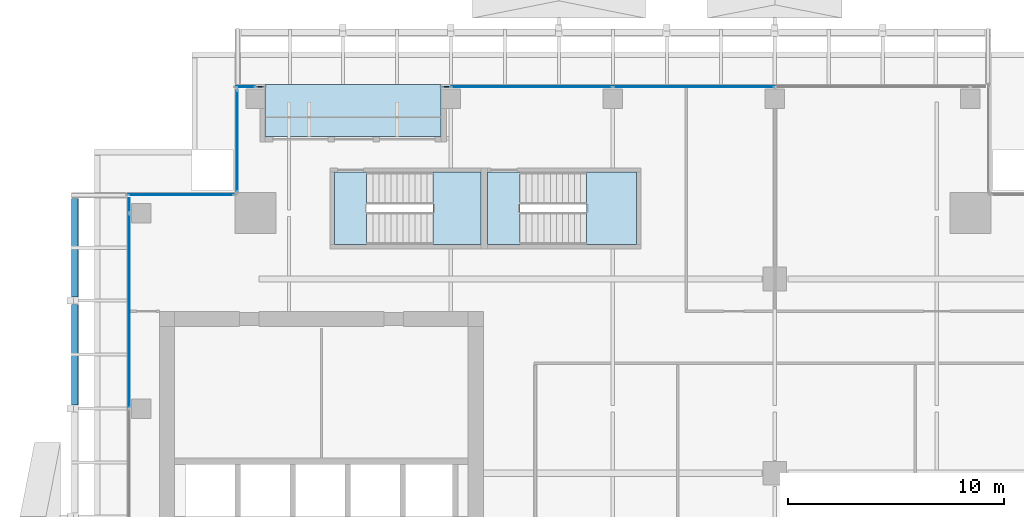
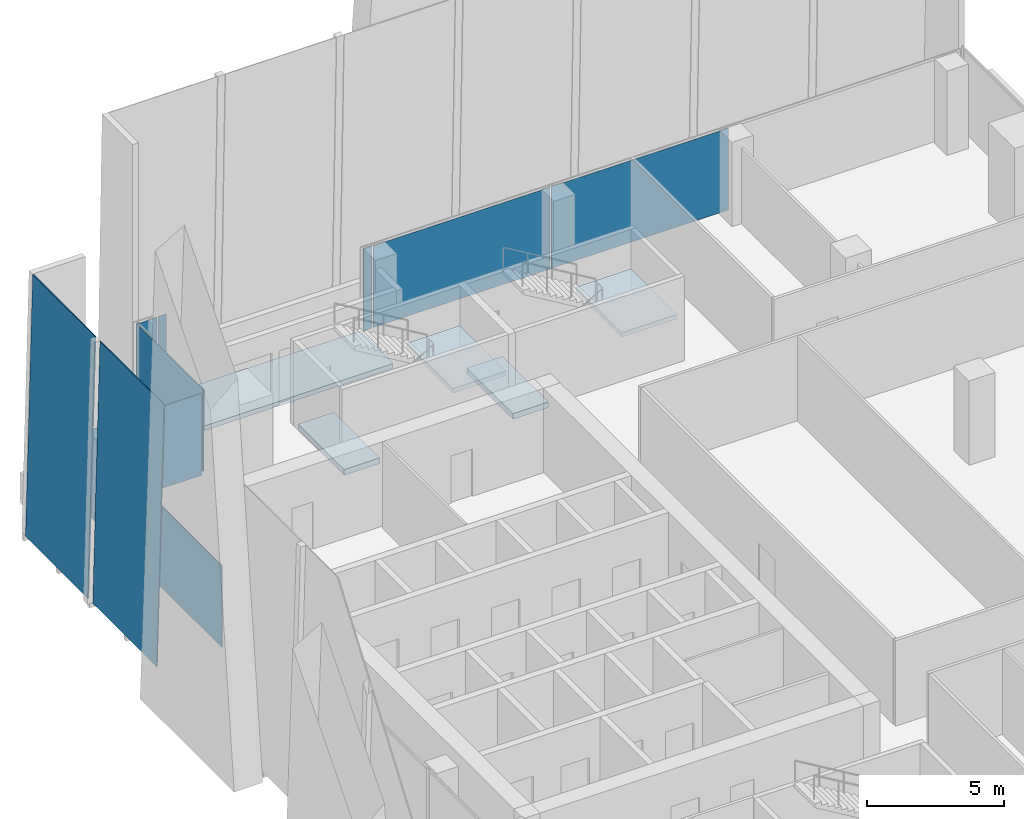
# One storey, part 24 of 33: 11 plates, 5 slabs, 7 elements without a shape of their own.
"""IFC4 building model written with IfcOpenShell, lengths in metres."""

from ifc_helpers import new_model, si_unit, direction, frame, origin, origin_2d, place, context, subcontext, project, spatial, polyline, rectangle, outline, extrude, source, transform, mapped, material, layer, layer_set, type_object, element, aggregate, save


model = new_model("IFC4")

# Units and contexts
model_context = context("Model", 3, precision=1e-05, world=origin(), true_north=direction((0.0, 1.0)))
body_context = subcontext(model_context, "Body", "Model", "MODEL_VIEW")
ifc_project = project(units=[si_unit("LENGTHUNIT", "METRE"), si_unit("AREAUNIT", "SQUARE_METRE"), si_unit("VOLUMEUNIT", "CUBIC_METRE"), si_unit("PLANEANGLEUNIT", "RADIAN"), si_unit("MASSUNIT", "GRAM", prefix="KILO")], contexts=[model_context])

# Site, building, storey
site_placement = place(None, origin())
site = spatial("IfcSite", under=ifc_project, at=site_placement, CompositionType="ELEMENT")
building_placement = place(site_placement, origin())
building = spatial("IfcBuilding", under=site, at=building_placement, Name="Khomas Fold Tower", CompositionType="ELEMENT")
storey_placement = place(building_placement, frame((0.0, 0.0, 222.199951171875)))
storey = spatial("IfcBuildingStorey", under=building, at=storey_placement, Name="L49", CompositionType="ELEMENT", Elevation=222.199951171875)

# Plates
ifc_material_1 = material(Name="Clear laminated glass", Category="glass")
ifc_layer_1 = layer(ifc_material_1, 0.0400390625)
ifc_layer_set_1 = layer_set([ifc_layer_1], Name="Clear laminated glass")
plate_type_1 = type_object("IfcPlateType", Name="SK-Clear laminated glass leaf", PredefinedType="SHEET", material=ifc_layer_set_1)
plate_1_placement = place(storey_placement, frame((1.920654296875, 34.669921875, 0.0009765625), z_axis=(-0.999657230839, 0.0, 0.026180543005), x_axis=(0.0, 1.0, 0.0)))
element("IfcPlate", 1, at=plate_1_placement, inside=storey, type_object=plate_type_1, Name="OUTER SKIN glass L49 W11", PredefinedType="SHEET", context=body_context, shape_type="SweptSolid", body=[
    extrude(outline(polyline([(0.0, 0.0), (4.66015625, 0.0), (4.66015625, -11.554009186164079), (0.0, -11.554009186164079), (0.0, 0.0)])), origin(), (0.0, 0.0, -1.0), 0.0400390625),
])
plate_2_placement = place(storey_placement, frame((1.920654296875, 39.669921875, 0.0009765625), z_axis=(-0.999657230839, 0.0, 0.026180543005), x_axis=(0.0, 1.0, 0.0)))
element("IfcPlate", 2, at=plate_2_placement, inside=storey, type_object=plate_type_1, Name="OUTER SKIN glass L49 W13", PredefinedType="SHEET", context=body_context, shape_type="SweptSolid", body=[
    extrude(outline(polyline([(0.0, 0.0), (4.56005859375, 0.0), (4.56005859375, -11.554009186164079), (0.0, -11.554009186164079), (0.0, 0.0)])), origin(), (0.0, 0.0, -1.0), 0.0400390625),
])

# Curtain wall, plate
ifc_material_2 = material(Name="Aluminium framed double glazing", Category="aluminium")
curtain_wall_type = type_object("IfcCurtainWallType", Name="SK-Unitised clear-glass wall, office floors CW2", PredefinedType="NOTDEFINED", material=ifc_material_2)
curtain_wall_1_placement = place(storey_placement, origin())
curtain_wall_1 = element("IfcCurtainWall", 3, at=curtain_wall_1_placement, inside=storey, type_object=curtain_wall_type, Name="CW2 run L49 09-0", PredefinedType="NOTDEFINED")
ifc_material_3 = material(Name="Clear double glazed unit")
ifc_layer_2 = layer(ifc_material_3, 0.030029296875)
ifc_layer_set_2 = layer_set([ifc_layer_2], Name="Clear double glazed unit")
plate_type_2 = type_object("IfcPlateType", Name="SK-Unitised clear-glass wall, office floors glass panel CW2-P", PredefinedType="CURTAIN_PANEL", material=ifc_layer_set_2)
shared_shape_1 = source(origin(), body_context, "Body", "SweptSolid", [
    extrude(rectangle(XDim=0.659912109375, YDim=0.030029296875, at=origin_2d()), origin(), (0.0, 0.0, 1.0), 3.639892578125),
])
plate_3_placement = place(storey_placement, frame((4.60009765625, 43.909912109375, 0.0), z_axis=(0.0, 0.0, 1.0), x_axis=(0.0, -1.0, 0.0)))
plate_3 = element("IfcPlate", 4, at=plate_3_placement, type_object=plate_type_2, Name="CW2 glass panel 1", PredefinedType="CURTAIN_PANEL", context=body_context, shape_type="MappedRepresentation", body=[
    mapped(shared_shape_1, transform((0.0, 0.0, 0.0))),
])

# Curtain wall, plates
curtain_wall_2_placement = place(storey_placement, origin())
curtain_wall_2 = element("IfcCurtainWall", 5, at=curtain_wall_2_placement, inside=storey, type_object=curtain_wall_type, Name="CW2 run L49 06-0", PredefinedType="NOTDEFINED")
shared_shape_2 = source(origin(), body_context, "Body", "SweptSolid", [
    extrude(rectangle(XDim=7.43994140625, YDim=0.030029296875, at=origin_2d()), origin(), (0.0, 0.0, 1.0), 3.639892578125),
])
plate_4_placement = place(storey_placement, frame((30.75, 49.39990234375, 0.0), z_axis=(0.0, 0.0, 1.0), x_axis=(-1.0, 0.0, 0.0)))
plate_4 = element("IfcPlate", 6, at=plate_4_placement, type_object=plate_type_2, Name="CW2 glass panel 3", PredefinedType="CURTAIN_PANEL", context=body_context, shape_type="MappedRepresentation", body=[
    mapped(shared_shape_2, transform((0.0, 0.0, 0.0))),
])
plate_5_placement = place(storey_placement, frame((23.25, 49.39990234375, 0.0), z_axis=(0.0, 0.0, 1.0), x_axis=(-1.0, 0.0, 0.0)))
plate_5 = element("IfcPlate", 7, at=plate_5_placement, type_object=plate_type_2, Name="CW2 glass panel 4", PredefinedType="CURTAIN_PANEL", context=body_context, shape_type="MappedRepresentation", body=[
    mapped(shared_shape_2, transform((0.0, 0.0, 0.0))),
])

# Curtain wall, plate
curtain_wall_3_placement = place(storey_placement, origin())
curtain_wall_3 = element("IfcCurtainWall", 8, at=curtain_wall_3_placement, inside=storey, type_object=curtain_wall_type, Name="CW2 run L49 06-1", PredefinedType="NOTDEFINED")
shared_shape_3 = source(origin(), body_context, "Body", "SweptSolid", [
    extrude(rectangle(XDim=0.860107421875, YDim=0.030029296875, at=origin_2d()), origin(), (0.0, 0.0, 1.0), 3.639892578125),
])
plate_6_placement = place(storey_placement, frame((9.989990234375, 49.39990234375, 0.0), z_axis=(0.0, 0.0, 1.0), x_axis=(-1.0, 0.0, 0.0)))
plate_6 = element("IfcPlate", 9, at=plate_6_placement, type_object=plate_type_2, Name="CW2 glass panel 2", PredefinedType="CURTAIN_PANEL", context=body_context, shape_type="MappedRepresentation", body=[
    mapped(shared_shape_3, transform((0.0, 0.0, 0.0))),
])

# Plate
shared_shape_4 = source(origin(), body_context, "Body", "SweptSolid", [
    extrude(rectangle(XDim=8.989990234375, YDim=0.030029296875, at=origin_2d()), origin(), (0.0, 0.0, 1.0), 3.639892578125),
])
plate_7_placement = place(storey_placement, frame((4.60009765625, 39.02490234375, 0.0), z_axis=(0.0, 0.0, 1.0), x_axis=(0.0, -1.0, 0.0)))
plate_7 = element("IfcPlate", 10, at=plate_7_placement, type_object=plate_type_2, Name="CW2 glass panel 2", PredefinedType="CURTAIN_PANEL", context=body_context, shape_type="MappedRepresentation", body=[
    mapped(shared_shape_4, transform((0.0, 0.0, 0.0))),
])

aggregate(curtain_wall_1, [plate_3, plate_7])

# Curtain wall, plate
curtain_wall_4_placement = place(storey_placement, origin())
curtain_wall_4 = element("IfcCurtainWall", 11, at=curtain_wall_4_placement, inside=storey, type_object=curtain_wall_type, Name="CW2 corner return L49 07", PredefinedType="NOTDEFINED")
shared_shape_5 = source(origin(), body_context, "Body", "SweptSolid", [
    extrude(rectangle(XDim=4.679931640625, YDim=0.030029296875, at=origin_2d()), origin(), (0.0, 0.0, 1.0), 3.639892578125),
])
plate_8_placement = place(storey_placement, frame((9.60009765625, 46.89990234375, 0.0), z_axis=(0.0, 0.0, 1.0), x_axis=(0.0, -1.0, 0.0)))
plate_8 = element("IfcPlate", 12, at=plate_8_placement, type_object=plate_type_2, Name="CW2 glass panel 1", PredefinedType="CURTAIN_PANEL", context=body_context, shape_type="MappedRepresentation", body=[
    mapped(shared_shape_5, transform((0.0, 0.0, 0.0))),
])
aggregate(curtain_wall_4, [plate_8])

curtain_wall_5_placement = place(storey_placement, origin())
curtain_wall_5 = element("IfcCurtainWall", 13, at=curtain_wall_5_placement, inside=storey, type_object=curtain_wall_type, Name="CW2 corner return L49 08", PredefinedType="NOTDEFINED")
shared_shape_6 = source(origin(), body_context, "Body", "SweptSolid", [
    extrude(rectangle(XDim=4.8798828125, YDim=0.030029296875, at=origin_2d()), origin(), (0.0, 0.0, 1.0), 3.639892578125),
])
plate_9_placement = place(storey_placement, frame((7.0, 44.39990234375, 0.0), z_axis=(0.0, 0.0, 1.0), x_axis=(-1.0, 0.0, 0.0)))
plate_9 = element("IfcPlate", 14, at=plate_9_placement, type_object=plate_type_2, Name="CW2 glass panel 1", PredefinedType="CURTAIN_PANEL", context=body_context, shape_type="MappedRepresentation", body=[
    mapped(shared_shape_6, transform((0.0, 0.0, 0.0))),
])
aggregate(curtain_wall_5, [plate_9])

# Plate
shared_shape_7 = source(origin(), body_context, "Body", "SweptSolid", [
    extrude(rectangle(XDim=0.360107421875, YDim=0.030029296875, at=origin_2d()), origin(), (0.0, 0.0, 1.0), 3.639892578125),
])
plate_10_placement = place(storey_placement, frame((19.2900390625, 49.39990234375, 0.0), z_axis=(0.0, 0.0, 1.0), x_axis=(-1.0, 0.0, 0.0)))
plate_10 = element("IfcPlate", 15, at=plate_10_placement, type_object=plate_type_2, Name="CW2 glass panel 5", PredefinedType="CURTAIN_PANEL", context=body_context, shape_type="MappedRepresentation", body=[
    mapped(shared_shape_7, transform((0.0, 0.0, 0.0))),
])

aggregate(curtain_wall_2, [plate_4, plate_5, plate_10])

plate_11_placement = place(storey_placement, frame((10.659912109375, 49.39990234375, 0.0), z_axis=(0.0, 0.0, 1.0), x_axis=(-1.0, 0.0, 0.0)))
plate_11 = element("IfcPlate", 16, at=plate_11_placement, type_object=plate_type_2, Name="CW2 glass panel 1", PredefinedType="CURTAIN_PANEL", context=body_context, shape_type="MappedRepresentation", body=[
    mapped(shared_shape_7, transform((0.0, 0.0, 0.0))),
])

aggregate(curtain_wall_3, [plate_11, plate_6])

# Slab
ifc_material_4 = material(Name="Concrete C40/50", Category="concrete")
ifc_layer_3 = layer(ifc_material_4, 0.205078125)
ifc_layer_set_3 = layer_set([ifc_layer_3], Name="Concrete C40/50")
slab_type_1 = type_object("IfcSlabType", Name="BL-Balcony deck 205", PredefinedType="FLOOR", material=ifc_layer_set_3)
shared_shape_8 = source(origin(), body_context, "Body", "SweptSolid", [
    extrude(outline(polyline([(10.89990234375, 47.10009765625), (19.050048828125, 47.10009765625), (19.050048828125, 49.5), (10.89990234375, 49.5), (10.89990234375, 47.10009765625)])), origin(), (0.0, 0.0, 1.0), 0.205078125),
])
slab_1_placement = place(storey_placement, frame((0.0, 0.0, -0.25)))
element("IfcSlab", 17, at=slab_1_placement, inside=storey, type_object=slab_type_1, Name="Balcony deck BAL-L49-N1", PredefinedType="FLOOR", context=body_context, shape_type="MappedRepresentation", body=[
    mapped(shared_shape_8, transform((0.0, 0.0, 0.0))),
])

# Stair, slab
ifc_material_5 = material(Name="Concrete C40/50", Category="concrete")
stair_type_1 = type_object("IfcStairType", Name="Stair ST1", PredefinedType="HALF_TURN_STAIR", material=ifc_material_5)
stair_1_placement = place(storey_placement, origin())
stair_1 = element("IfcStair", 18, at=stair_1_placement, inside=storey, type_object=stair_type_1, Name="L49 ST1", PredefinedType="HALF_TURN_STAIR")
ifc_material_6 = material(Name="Concrete C40/50", Category="concrete")
ifc_layer_4 = layer(ifc_material_6, 0.199951171875)
ifc_layer_set_4 = layer_set([ifc_layer_4], Name="Concrete C40/50")
slab_type_2 = type_object("IfcSlabType", Name="Stair landing 200", PredefinedType="LANDING", material=ifc_layer_set_4)
shared_shape_9 = source(origin(), body_context, "Body", "SweptSolid", [
    extrude(outline(polyline([(18.679931640625, 42.10009765625), (20.89990234375, 42.10009765625), (20.89990234375, 45.449951171875), (18.679931640625, 45.449951171875), (18.679931640625, 42.10009765625)])), origin(), (0.0, 0.0, 1.0), 0.199951171875),
])
slab_2_placement = place(storey_placement, frame((0.0, 0.0, 1.800048828125)))
slab_2 = element("IfcSlab", 19, at=slab_2_placement, type_object=slab_type_2, Name="ST1 landing 1", PredefinedType="LANDING", context=body_context, shape_type="MappedRepresentation", body=[
    mapped(shared_shape_9, transform((0.0, 0.0, 0.0))),
])
aggregate(stair_1, [slab_2])

# Slab
ifc_material_7 = material(Name="Concrete C40/50", Category="concrete")
ifc_layer_5 = layer(ifc_material_7, 0.25)
ifc_layer_set_5 = layer_set([ifc_layer_5], Name="Concrete C40/50")
slab_type_3 = type_object("IfcSlabType", Name="Stair floor landing 250", PredefinedType="LANDING", material=ifc_layer_set_5)
shared_shape_10 = source(origin(), body_context, "Body", "SweptSolid", [
    extrude(outline(polyline([(14.10009765625, 42.10009765625), (14.10009765625, 45.449951171875), (15.60009765625, 45.449951171875), (15.60009765625, 42.10009765625), (14.10009765625, 42.10009765625)])), origin(), (0.0, 0.0, 1.0), 0.25),
])
slab_3_placement = place(storey_placement, frame((0.0, 0.0, -0.25)))
element("IfcSlab", 20, at=slab_3_placement, inside=storey, type_object=slab_type_3, Name="ST1 floor landing", PredefinedType="LANDING", context=body_context, shape_type="MappedRepresentation", body=[
    mapped(shared_shape_10, transform((0.0, 0.0, 0.0))),
])

# Stair, slab
ifc_material_8 = material(Name="Concrete C40/50", Category="concrete")
stair_type_2 = type_object("IfcStairType", Name="Stair ST3", PredefinedType="HALF_TURN_STAIR", material=ifc_material_8)
stair_2_placement = place(storey_placement, origin())
stair_2 = element("IfcStair", 21, at=stair_2_placement, inside=storey, type_object=stair_type_2, Name="L49 ST3", PredefinedType="HALF_TURN_STAIR")
shared_shape_11 = source(origin(), body_context, "Body", "SweptSolid", [
    extrude(outline(polyline([(25.780029296875, 42.10009765625), (28.10009765625, 42.10009765625), (28.10009765625, 45.449951171875), (25.780029296875, 45.449951171875), (25.780029296875, 42.10009765625)])), origin(), (0.0, 0.0, 1.0), 0.199951171875),
])
slab_4_placement = place(storey_placement, frame((0.0, 0.0, 1.800048828125)))
slab_4 = element("IfcSlab", 22, at=slab_4_placement, type_object=slab_type_2, Name="ST3 landing 1", PredefinedType="LANDING", context=body_context, shape_type="MappedRepresentation", body=[
    mapped(shared_shape_11, transform((0.0, 0.0, 0.0))),
])
aggregate(stair_2, [slab_4])

# Slab
shared_shape_12 = source(origin(), body_context, "Body", "SweptSolid", [
    extrude(outline(polyline([(21.199951171875, 42.10009765625), (21.199951171875, 45.449951171875), (22.699951171875, 45.449951171875), (22.699951171875, 42.10009765625), (21.199951171875, 42.10009765625)])), origin(), (0.0, 0.0, 1.0), 0.25),
])
slab_5_placement = place(storey_placement, frame((0.0, 0.0, -0.25)))
element("IfcSlab", 23, at=slab_5_placement, inside=storey, type_object=slab_type_3, Name="ST3 floor landing", PredefinedType="LANDING", context=body_context, shape_type="MappedRepresentation", body=[
    mapped(shared_shape_12, transform((0.0, 0.0, 0.0))),
])

save(model, "model.ifc")
